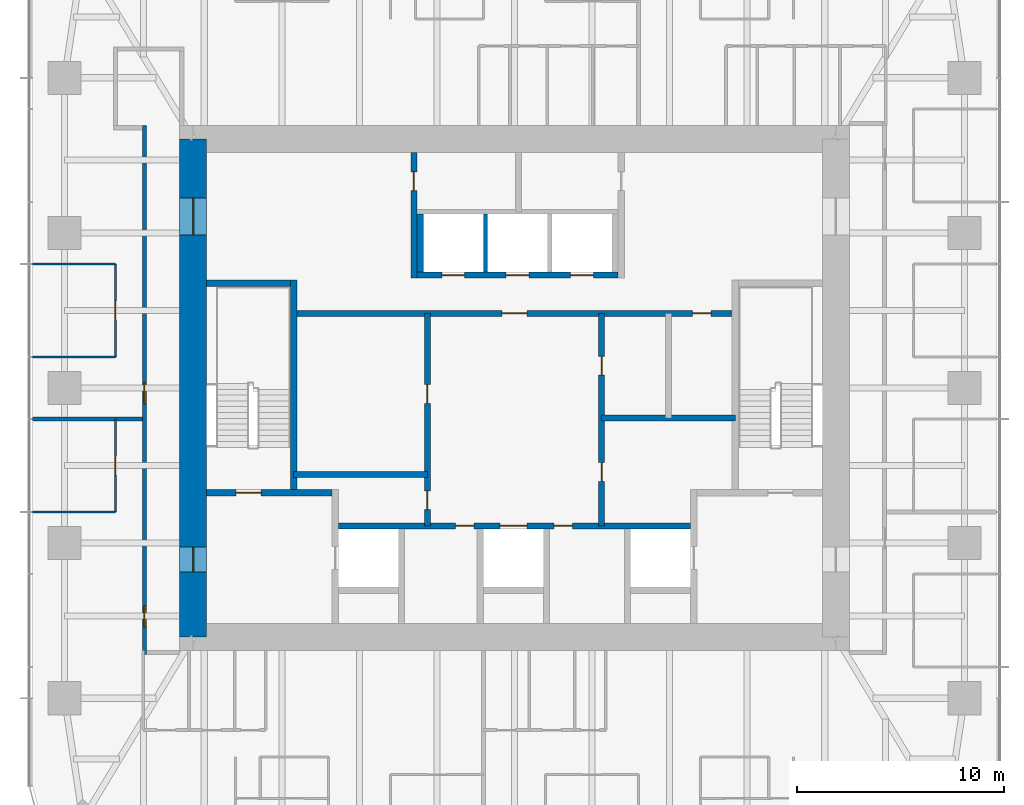
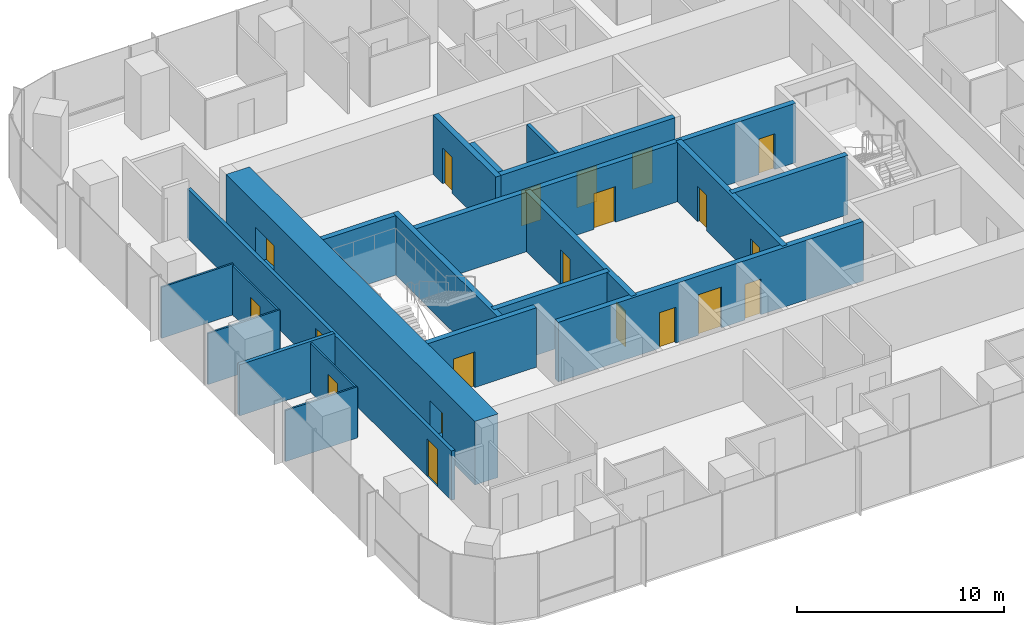
# One storey, part 9 of 12: 21 walls, 20 doors, 20 openings.
"""IFC4 building model written with IfcOpenShell, lengths in metres."""

from ifc_helpers import new_model, si_unit, direction, frame, frame_2d, origin, place, context, subcontext, project, spatial, rectangle, extrude, material, layer, layer_set, type_object, element, fill, save


model = new_model("IFC4")

# Units and contexts
model_context = context("Model", 3, precision=1e-05, world=origin(), true_north=direction((0.0, 1.0)))
body_context = subcontext(model_context, "Body", "Model", "MODEL_VIEW")
ifc_project = project(units=[si_unit("LENGTHUNIT", "METRE"), si_unit("AREAUNIT", "SQUARE_METRE"), si_unit("VOLUMEUNIT", "CUBIC_METRE"), si_unit("PLANEANGLEUNIT", "RADIAN"), si_unit("MASSUNIT", "GRAM", prefix="KILO")], contexts=[model_context])

# Site, building, storey
site_placement = place(None, origin())
site = spatial("IfcSite", under=ifc_project, at=site_placement, CompositionType="ELEMENT")
building_placement = place(site_placement, origin())
building = spatial("IfcBuilding", under=site, at=building_placement, Name="Khuree Lantern Residences", CompositionType="ELEMENT")
storey_placement = place(building_placement, frame((0.0, 0.0, 327.0)))
storey = spatial("IfcBuildingStorey", under=building, at=storey_placement, Name="L82", CompositionType="ELEMENT", Elevation=327.0)

# Wall, openings, doors
ifc_material_1 = material(Name="Dense concrete blockwork", Category="masonry")
ifc_layer_1 = layer(ifc_material_1, 0.300048828125)
ifc_layer_set_1 = layer_set([ifc_layer_1], Name="CORE PARTITION WALL CPW300 EI 120")
wall_type_1 = type_object("IfcWallType", Name="CORE PARTITION WALL CPW300 EI 120", PredefinedType="PARTITIONING", material=ifc_layer_set_1)
wall_1_placement = place(storey_placement, frame((-8.5, -6.64990234375, 0.0), z_axis=(0.0, 0.0, 1.0), x_axis=(1.0, 0.0, 0.0)))
wall_1 = element("IfcWall", 1, at=wall_1_placement, inside=storey, type_object=wall_type_1, Name="L82 CORE WALL FLROW", PredefinedType="PARTITIONING", context=body_context, shape_type="SweptSolid", body=[
    extrude(rectangle(XDim=17.0, YDim=0.300048828125, at=frame_2d((8.5, 0.0))), origin(), (0.0, 0.0, 1.0), 3.5),
])
opening_1_placement = place(wall_1_placement, frame((7.800048828125, 0.0, 0.0)))
opening_1 = element("IfcOpeningElement", 2, at=opening_1_placement, cuts=wall_1, Name="Opening 82-012", PredefinedType="OPENING", context=body_context, shape_type="SweptSolid", body=[
    extrude(rectangle(XDim=1.300048828125, YDim=2.39990234375, at=frame_2d((0.64990234375, 1.199951171875))), frame((0.0, 0.16015625, 0.0), z_axis=(0.0, -1.0, 0.0), x_axis=(1.0, 0.0, 0.0)), (0.0, 0.0, 1.0), 0.320068359375),
])
opening_2_placement = place(wall_1_placement, frame((5.64990234375, 0.0, 0.0)))
opening_2 = element("IfcOpeningElement", 3, at=opening_2_placement, cuts=wall_1, Name="Opening 82-014", PredefinedType="OPENING", context=body_context, shape_type="SweptSolid", body=[
    extrude(rectangle(XDim=0.89990234375, YDim=2.10009765625, at=frame_2d((0.449951171875, 1.050048828125))), frame((0.0, 0.16015625, 0.0), z_axis=(0.0, -1.0, 0.0), x_axis=(1.0, 0.0, 0.0)), (0.0, 0.0, 1.0), 0.320068359375),
])
opening_3_placement = place(wall_1_placement, frame((10.39990234375, 0.0, 0.0)))
opening_3 = element("IfcOpeningElement", 4, at=opening_3_placement, cuts=wall_1, Name="Opening 82-015", PredefinedType="OPENING", context=body_context, shape_type="SweptSolid", body=[
    extrude(rectangle(XDim=0.89990234375, YDim=2.10009765625, at=frame_2d((0.449951171875, 1.050048828125))), frame((0.0, 0.16015625, 0.0), z_axis=(0.0, -1.0, 0.0), x_axis=(1.0, 0.0, 0.0)), (0.0, 0.0, 1.0), 0.320068359375),
])
ifc_material_2 = material(Name="Steel door leaf in steel frame", Category="steel")
door_type_1 = type_object("IfcDoorType", Name="DOOR 900X2100 EI 60", OperationType="SINGLE_SWING_LEFT", PredefinedType="DOOR", material=ifc_material_2)
door_1_placement = place(opening_2_placement, origin())
door_1 = element("IfcDoor", 5, at=door_1_placement, inside=storey, type_object=door_type_1, Name="Refuse chute room door 82-014", OperationType="SINGLE_SWING_LEFT", OverallHeight=2.10009765625, OverallWidth=0.89990234375, PredefinedType="DOOR", context=body_context, shape_type="SweptSolid", body=[
    extrude(rectangle(XDim=0.89990234375, YDim=2.10009765625, at=frame_2d((0.449951171875, 1.050048828125))), frame((0.0, 0.02490234375, 0.0), z_axis=(0.0, -1.0, 0.0), x_axis=(1.0, 0.0, 0.0)), (0.0, 0.0, 1.0), 0.050048828125),
])
fill(opening_2, door_1)
door_type_2 = type_object("IfcDoorType", Name="DOOR 900X2100 EI 60 RIGHT HAND", OperationType="SINGLE_SWING_RIGHT", PredefinedType="DOOR", material=ifc_material_2)
door_2_placement = place(opening_3_placement, origin())
door_2 = element("IfcDoor", 6, at=door_2_placement, inside=storey, type_object=door_type_2, Name="Electrical and plumbing riser door 82-015", OperationType="SINGLE_SWING_RIGHT", OverallHeight=2.10009765625, OverallWidth=0.89990234375, PredefinedType="DOOR", context=body_context, shape_type="SweptSolid", body=[
    extrude(rectangle(XDim=0.89990234375, YDim=2.10009765625, at=frame_2d((0.449951171875, 1.050048828125))), frame((0.0, 0.02490234375, 0.0), z_axis=(0.0, -1.0, 0.0), x_axis=(1.0, 0.0, 0.0)), (0.0, 0.0, 1.0), 0.050048828125),
])
fill(opening_3, door_2)
ifc_material_3 = material(Name="Stainless steel lift landing door", Category="steel")
door_type_3 = type_object("IfcDoorType", Name="LIFT LANDING DOOR 1300X2400 E 60", OperationType="DOUBLE_DOOR_SLIDING", PredefinedType="DOOR", material=ifc_material_3)
door_3_placement = place(opening_1_placement, origin())
door_3 = element("IfcDoor", 7, at=door_3_placement, inside=storey, type_object=door_type_3, Name="Landing door SL1 82-012", OperationType="DOUBLE_DOOR_SLIDING", OverallHeight=2.39990234375, OverallWidth=1.300048828125, PredefinedType="DOOR", context=body_context, shape_type="SweptSolid", body=[
    extrude(rectangle(XDim=1.300048828125, YDim=2.39990234375, at=frame_2d((0.64990234375, 1.199951171875))), frame((0.0, 0.02490234375, 0.0), z_axis=(0.0, -1.0, 0.0), x_axis=(1.0, 0.0, 0.0)), (0.0, 0.0, 1.0), 0.050048828125),
])
fill(opening_1, door_3)

wall_2_placement = place(storey_placement, frame((-4.699951171875, 5.449951171875, 0.0), z_axis=(0.0, 0.0, 1.0), x_axis=(1.0, 0.0, 0.0)))
wall_2 = element("IfcWall", 8, at=wall_2_placement, inside=storey, type_object=wall_type_1, Name="L82 CORE WALL PHS", PredefinedType="PARTITIONING", context=body_context, shape_type="SweptSolid", body=[
    extrude(rectangle(XDim=9.699951171875, YDim=0.300048828125, at=frame_2d((4.85009765625, 0.0))), origin(), (0.0, 0.0, 1.0), 3.5),
])
opening_4_placement = place(wall_2_placement, frame((1.199951171875, 0.0, 0.0)))
opening_4 = element("IfcOpeningElement", 9, at=opening_4_placement, cuts=wall_2, Name="Opening 82-009", PredefinedType="OPENING", context=body_context, shape_type="SweptSolid", body=[
    extrude(rectangle(XDim=1.10009765625, YDim=2.10009765625, at=frame_2d((0.550048828125, 1.050048828125))), frame((0.0, 0.16015625, 0.0), z_axis=(0.0, -1.0, 0.0), x_axis=(1.0, 0.0, 0.0)), (0.0, 0.0, 1.0), 0.320068359375),
])
opening_5_placement = place(wall_2_placement, frame((4.300048828125, 0.0, 0.0)))
opening_5 = element("IfcOpeningElement", 10, at=opening_5_placement, cuts=wall_2, Name="Opening 82-010", PredefinedType="OPENING", context=body_context, shape_type="SweptSolid", body=[
    extrude(rectangle(XDim=1.10009765625, YDim=2.10009765625, at=frame_2d((0.550048828125, 1.050048828125))), frame((0.0, 0.16015625, 0.0), z_axis=(0.0, -1.0, 0.0), x_axis=(1.0, 0.0, 0.0)), (0.0, 0.0, 1.0), 0.320068359375),
])
opening_6_placement = place(wall_2_placement, frame((7.39990234375, 0.0, 0.0)))
opening_6 = element("IfcOpeningElement", 11, at=opening_6_placement, cuts=wall_2, Name="Opening 82-011", PredefinedType="OPENING", context=body_context, shape_type="SweptSolid", body=[
    extrude(rectangle(XDim=1.10009765625, YDim=2.10009765625, at=frame_2d((0.550048828125, 1.050048828125))), frame((0.0, 0.16015625, 0.0), z_axis=(0.0, -1.0, 0.0), x_axis=(1.0, 0.0, 0.0)), (0.0, 0.0, 1.0), 0.320068359375),
])
door_type_4 = type_object("IfcDoorType", Name="LIFT LANDING DOOR 1100X2100 E 60", OperationType="DOUBLE_DOOR_SLIDING", PredefinedType="DOOR", material=ifc_material_3)
door_4_placement = place(opening_4_placement, origin())
door_4 = element("IfcDoor", 12, at=door_4_placement, inside=storey, type_object=door_type_4, Name="Landing door PH1 82-009", OperationType="DOUBLE_DOOR_SLIDING", OverallHeight=2.10009765625, OverallWidth=1.10009765625, PredefinedType="DOOR", context=body_context, shape_type="SweptSolid", body=[
    extrude(rectangle(XDim=1.10009765625, YDim=2.10009765625, at=frame_2d((0.550048828125, 1.050048828125))), frame((0.0, 0.02490234375, 0.0), z_axis=(0.0, -1.0, 0.0), x_axis=(1.0, 0.0, 0.0)), (0.0, 0.0, 1.0), 0.050048828125),
])
fill(opening_4, door_4)
door_5_placement = place(opening_5_placement, origin())
door_5 = element("IfcDoor", 13, at=door_5_placement, inside=storey, type_object=door_type_4, Name="Landing door PH2 82-010", OperationType="DOUBLE_DOOR_SLIDING", OverallHeight=2.10009765625, OverallWidth=1.10009765625, PredefinedType="DOOR", context=body_context, shape_type="SweptSolid", body=[
    extrude(rectangle(XDim=1.10009765625, YDim=2.10009765625, at=frame_2d((0.550048828125, 1.050048828125))), frame((0.0, 0.02490234375, 0.0), z_axis=(0.0, -1.0, 0.0), x_axis=(1.0, 0.0, 0.0)), (0.0, 0.0, 1.0), 0.050048828125),
])
fill(opening_5, door_5)
door_6_placement = place(opening_6_placement, origin())
door_6 = element("IfcDoor", 14, at=door_6_placement, inside=storey, type_object=door_type_4, Name="Landing door PH3 82-011", OperationType="DOUBLE_DOOR_SLIDING", OverallHeight=2.10009765625, OverallWidth=1.10009765625, PredefinedType="DOOR", context=body_context, shape_type="SweptSolid", body=[
    extrude(rectangle(XDim=1.10009765625, YDim=2.10009765625, at=frame_2d((0.550048828125, 1.050048828125))), frame((0.0, 0.02490234375, 0.0), z_axis=(0.0, -1.0, 0.0), x_axis=(1.0, 0.0, 0.0)), (0.0, 0.0, 1.0), 0.050048828125),
])
fill(opening_6, door_6)

# Wall
wall_3_placement = place(storey_placement, frame((-4.550048828125, 5.60009765625, 0.0), z_axis=(0.0, 0.0, 1.0), x_axis=(0.0, 1.0, 0.0)))
element("IfcWall", 15, at=wall_3_placement, inside=storey, type_object=wall_type_1, Name="L82 CORE WALL PHW", PredefinedType="PARTITIONING", context=body_context, shape_type="SweptSolid", body=[
    extrude(rectangle(XDim=2.7998046875, YDim=0.300048828125, at=frame_2d((1.39990234375, 0.0))), origin(), (0.0, 0.0, 1.0), 3.5),
])

# Wall, openings, doors
wall_4_placement = place(storey_placement, frame((-10.64990234375, 3.60009765625, 0.0), z_axis=(0.0, 0.0, 1.0), x_axis=(1.0, 0.0, 0.0)))
wall_4 = element("IfcWall", 16, at=wall_4_placement, inside=storey, type_object=wall_type_1, Name="L82 CORE WALL LLS", PredefinedType="PARTITIONING", context=body_context, shape_type="SweptSolid", body=[
    extrude(rectangle(XDim=21.2998046875, YDim=0.300048828125, at=frame_2d((10.64990234375, 0.0))), origin(), (0.0, 0.0, 1.0), 3.5),
])
opening_7_placement = place(wall_4_placement, frame((10.050048828125, 0.0, 0.0)))
opening_7 = element("IfcOpeningElement", 17, at=opening_7_placement, cuts=wall_4, Name="Opening 82-013", PredefinedType="OPENING", context=body_context, shape_type="SweptSolid", body=[
    extrude(rectangle(XDim=1.199951171875, YDim=2.10009765625, at=frame_2d((0.60009765625, 1.050048828125))), frame((0.0, 0.16015625, 0.0), z_axis=(0.0, -1.0, 0.0), x_axis=(1.0, 0.0, 0.0)), (0.0, 0.0, 1.0), 0.320068359375),
])
opening_8_placement = place(wall_4_placement, frame((19.238037109375, 0.0, 0.0)))
opening_8 = element("IfcOpeningElement", 18, at=opening_8_placement, cuts=wall_4, Name="Opening 82-020", PredefinedType="OPENING", context=body_context, shape_type="SweptSolid", body=[
    extrude(rectangle(XDim=0.89990234375, YDim=2.10009765625, at=frame_2d((0.449951171875, 1.050048828125))), frame((0.0, 0.16015625, 0.0), z_axis=(0.0, -1.0, 0.0), x_axis=(1.0, 0.0, 0.0)), (0.0, 0.0, 1.0), 0.320068359375),
])
door_type_5 = type_object("IfcDoorType", Name="DOOR 1200X2100 EI 60", OperationType="SINGLE_SWING_LEFT", PredefinedType="DOOR", material=ifc_material_2)
door_7_placement = place(opening_7_placement, origin())
door_7 = element("IfcDoor", 19, at=door_7_placement, inside=storey, type_object=door_type_5, Name="Service lift lobby door 82-013", OperationType="SINGLE_SWING_LEFT", OverallHeight=2.10009765625, OverallWidth=1.199951171875, PredefinedType="DOOR", context=body_context, shape_type="SweptSolid", body=[
    extrude(rectangle(XDim=1.199951171875, YDim=2.10009765625, at=frame_2d((0.60009765625, 1.050048828125))), frame((0.0, 0.02490234375, 0.0), z_axis=(0.0, -1.0, 0.0), x_axis=(1.0, 0.0, 0.0)), (0.0, 0.0, 1.0), 0.050048828125),
])
fill(opening_7, door_7)
ifc_material_4 = material(Name="Timber door leaf in hardwood frame", Category="wood")
door_type_6 = type_object("IfcDoorType", Name="DOOR 900X2100 RIGHT HAND", OperationType="SINGLE_SWING_RIGHT", PredefinedType="DOOR", material=ifc_material_4)
door_8_placement = place(opening_8_placement, origin())
door_8 = element("IfcDoor", 20, at=door_8_placement, inside=storey, type_object=door_type_6, Name="Refuse holding room door 82-020", OperationType="SINGLE_SWING_RIGHT", OverallHeight=2.10009765625, OverallWidth=0.89990234375, PredefinedType="DOOR", context=body_context, shape_type="SweptSolid", body=[
    extrude(rectangle(XDim=0.89990234375, YDim=2.10009765625, at=frame_2d((0.449951171875, 1.050048828125))), frame((0.0, 0.02490234375, 0.0), z_axis=(0.0, -1.0, 0.0), x_axis=(1.0, 0.0, 0.0)), (0.0, 0.0, 1.0), 0.050048828125),
])
fill(opening_8, door_8)

wall_5_placement = place(storey_placement, frame((-4.199951171875, -6.64990234375, 0.0), z_axis=(0.0, 0.0, 1.0), x_axis=(0.0, 1.0, 0.0)))
wall_5 = element("IfcWall", 21, at=wall_5_placement, inside=storey, type_object=wall_type_1, Name="L82 CORE WALL SVW", PredefinedType="PARTITIONING", context=body_context, shape_type="SweptSolid", body=[
    extrude(rectangle(XDim=10.25, YDim=0.300048828125, at=frame_2d((5.125, 0.0))), origin(), (0.0, 0.0, 1.0), 3.5),
])
opening_9_placement = place(wall_5_placement, frame((0.787109375, 0.0, 0.0)))
opening_9 = element("IfcOpeningElement", 22, at=opening_9_placement, cuts=wall_5, Name="Opening 82-016", PredefinedType="OPENING", context=body_context, shape_type="SweptSolid", body=[
    extrude(rectangle(XDim=0.89990234375, YDim=2.10009765625, at=frame_2d((0.449951171875, 1.050048828125))), frame((0.0, 0.16015625, 0.0), z_axis=(0.0, -1.0, 0.0), x_axis=(1.0, 0.0, 0.0)), (0.0, 0.0, 1.0), 0.320068359375),
])
opening_10_placement = place(wall_5_placement, frame((5.912109375, 0.0, 0.0)))
opening_10 = element("IfcOpeningElement", 23, at=opening_10_placement, cuts=wall_5, Name="Opening 82-017", PredefinedType="OPENING", context=body_context, shape_type="SweptSolid", body=[
    extrude(rectangle(XDim=0.89990234375, YDim=2.10009765625, at=frame_2d((0.449951171875, 1.050048828125))), frame((0.0, 0.16015625, 0.0), z_axis=(0.0, -1.0, 0.0), x_axis=(1.0, 0.0, 0.0)), (0.0, 0.0, 1.0), 0.320068359375),
])
door_type_7 = type_object("IfcDoorType", Name="DOOR 900X2100", OperationType="SINGLE_SWING_LEFT", PredefinedType="DOOR", material=ifc_material_4)
door_9_placement = place(opening_9_placement, origin())
door_9 = element("IfcDoor", 24, at=door_9_placement, inside=storey, type_object=door_type_7, Name="IT room door 82-016", OperationType="SINGLE_SWING_LEFT", OverallHeight=2.10009765625, OverallWidth=0.89990234375, PredefinedType="DOOR", context=body_context, shape_type="SweptSolid", body=[
    extrude(rectangle(XDim=0.89990234375, YDim=2.10009765625, at=frame_2d((0.449951171875, 1.050048828125))), frame((0.0, 0.02490234375, 0.0), z_axis=(0.0, -1.0, 0.0), x_axis=(1.0, 0.0, 0.0)), (0.0, 0.0, 1.0), 0.050048828125),
])
fill(opening_9, door_9)
door_10_placement = place(opening_10_placement, origin())
door_10 = element("IfcDoor", 25, at=door_10_placement, inside=storey, type_object=door_type_7, Name="Residents' store door 82-017", OperationType="SINGLE_SWING_LEFT", OverallHeight=2.10009765625, OverallWidth=0.89990234375, PredefinedType="DOOR", context=body_context, shape_type="SweptSolid", body=[
    extrude(rectangle(XDim=0.89990234375, YDim=2.10009765625, at=frame_2d((0.449951171875, 1.050048828125))), frame((0.0, 0.02490234375, 0.0), z_axis=(0.0, -1.0, 0.0), x_axis=(1.0, 0.0, 0.0)), (0.0, 0.0, 1.0), 0.050048828125),
])
fill(opening_10, door_10)

wall_6_placement = place(storey_placement, frame((4.199951171875, -6.64990234375, 0.0), z_axis=(0.0, 0.0, 1.0), x_axis=(0.0, 1.0, 0.0)))
wall_6 = element("IfcWall", 26, at=wall_6_placement, inside=storey, type_object=wall_type_1, Name="L82 CORE WALL SVE", PredefinedType="PARTITIONING", context=body_context, shape_type="SweptSolid", body=[
    extrude(rectangle(XDim=10.25, YDim=0.300048828125, at=frame_2d((5.125, 0.0))), origin(), (0.0, 0.0, 1.0), 3.5),
])
opening_11_placement = place(wall_6_placement, frame((2.14990234375, 0.0, 0.0)))
opening_11 = element("IfcOpeningElement", 27, at=opening_11_placement, cuts=wall_6, Name="Opening 82-018", PredefinedType="OPENING", context=body_context, shape_type="SweptSolid", body=[
    extrude(rectangle(XDim=0.89990234375, YDim=2.10009765625, at=frame_2d((0.449951171875, 1.050048828125))), frame((0.0, 0.16015625, 0.0), z_axis=(0.0, -1.0, 0.0), x_axis=(1.0, 0.0, 0.0)), (0.0, 0.0, 1.0), 0.320068359375),
])
opening_12_placement = place(wall_6_placement, frame((7.27490234375, 0.0, 0.0)))
opening_12 = element("IfcOpeningElement", 28, at=opening_12_placement, cuts=wall_6, Name="Opening 82-019", PredefinedType="OPENING", context=body_context, shape_type="SweptSolid", body=[
    extrude(rectangle(XDim=0.89990234375, YDim=2.10009765625, at=frame_2d((0.449951171875, 1.050048828125))), frame((0.0, 0.16015625, 0.0), z_axis=(0.0, -1.0, 0.0), x_axis=(1.0, 0.0, 0.0)), (0.0, 0.0, 1.0), 0.320068359375),
])
door_11_placement = place(opening_11_placement, origin())
door_11 = element("IfcDoor", 29, at=door_11_placement, inside=storey, type_object=door_type_7, Name="Residents' store door 82-018", OperationType="SINGLE_SWING_LEFT", OverallHeight=2.10009765625, OverallWidth=0.89990234375, PredefinedType="DOOR", context=body_context, shape_type="SweptSolid", body=[
    extrude(rectangle(XDim=0.89990234375, YDim=2.10009765625, at=frame_2d((0.449951171875, 1.050048828125))), frame((0.0, 0.02490234375, 0.0), z_axis=(0.0, -1.0, 0.0), x_axis=(1.0, 0.0, 0.0)), (0.0, 0.0, 1.0), 0.050048828125),
])
fill(opening_11, door_11)
door_12_placement = place(opening_12_placement, origin())
door_12 = element("IfcDoor", 30, at=door_12_placement, inside=storey, type_object=door_type_6, Name="Building management room door 82-019", OperationType="SINGLE_SWING_RIGHT", OverallHeight=2.10009765625, OverallWidth=0.89990234375, PredefinedType="DOOR", context=body_context, shape_type="SweptSolid", body=[
    extrude(rectangle(XDim=0.89990234375, YDim=2.10009765625, at=frame_2d((0.449951171875, 1.050048828125))), frame((0.0, 0.02490234375, 0.0), z_axis=(0.0, -1.0, 0.0), x_axis=(1.0, 0.0, 0.0)), (0.0, 0.0, 1.0), 0.050048828125),
])
fill(opening_12, door_12)

# Walls
for number, where, z_axis, x_axis, name in (
    (31, (-10.64990234375, -4.177001953125, 0.0), (0.0, 0.0, 1.0), (1.0, 0.0, 0.0), "L82 CORE WALL WX"),
    (32, (10.64990234375, -1.449951171875, 0.0), (0.0, 0.0, 1.0), (-1.0, 0.0, 0.0), "L82 CORE WALL EX"),
):
    element("IfcWall", number, at=place(storey_placement, frame(where, z_axis=z_axis, x_axis=x_axis)), inside=storey, type_object=wall_type_1, Name=name, PredefinedType="PARTITIONING", context=body_context, shape_type="SweptSolid", body=[
        extrude(rectangle(XDim=6.449951171875, YDim=0.300048828125, at=frame_2d((3.22509765625, 0.0))), origin(), (0.0, 0.0, 1.0), 3.5),
    ])

# Wall, opening, door
wall_7_placement = place(storey_placement, frame((-4.85009765625, 5.300048828125, 0.0), z_axis=(0.0, 0.0, 1.0), x_axis=(0.0, 1.0, 0.0)))
wall_7 = element("IfcWall", 33, at=wall_7_placement, inside=storey, type_object=wall_type_1, Name="L82 CORE WALL NW", PredefinedType="PARTITIONING", context=body_context, shape_type="SweptSolid", body=[
    extrude(rectangle(XDim=6.050048828125, YDim=0.300048828125, at=frame_2d((3.02490234375, 0.0))), origin(), (0.0, 0.0, 1.0), 3.5),
])
opening_13_placement = place(wall_7_placement, frame((4.22509765625, 0.0, 0.0)))
opening_13 = element("IfcOpeningElement", 34, at=opening_13_placement, cuts=wall_7, Name="Opening 82-021", PredefinedType="OPENING", context=body_context, shape_type="SweptSolid", body=[
    extrude(rectangle(XDim=0.89990234375, YDim=2.10009765625, at=frame_2d((0.449951171875, 1.050048828125))), frame((0.0, 0.16015625, 0.0), z_axis=(0.0, -1.0, 0.0), x_axis=(1.0, 0.0, 0.0)), (0.0, 0.0, 1.0), 0.320068359375),
])
door_13_placement = place(opening_13_placement, origin())
door_13 = element("IfcDoor", 35, at=door_13_placement, inside=storey, type_object=door_type_6, Name="Housekeeping store door 82-021", OperationType="SINGLE_SWING_RIGHT", OverallHeight=2.10009765625, OverallWidth=0.89990234375, PredefinedType="DOOR", context=body_context, shape_type="SweptSolid", body=[
    extrude(rectangle(XDim=0.89990234375, YDim=2.10009765625, at=frame_2d((0.449951171875, 1.050048828125))), frame((0.0, 0.02490234375, 0.0), z_axis=(0.0, -1.0, 0.0), x_axis=(1.0, 0.0, 0.0)), (0.0, 0.0, 1.0), 0.050048828125),
])
fill(opening_13, door_13)

# Wall, openings, doors
ifc_material_5 = material(Name="Gypsum board on steel studs", Category="steel")
ifc_layer_2 = layer(ifc_material_5, 0.199951171875)
ifc_layer_set_2 = layer_set([ifc_layer_2], Name="CORRIDOR WALL CRW200 EI 60")
wall_type_2 = type_object("IfcWallType", Name="CORRIDOR WALL CRW200 EI 60", PredefinedType="PARTITIONING", material=ifc_layer_set_2)
wall_8_placement = place(storey_placement, frame((-17.85009765625, 12.64990234375, 0.0), z_axis=(0.0, 0.0, 1.0), x_axis=(0.0, -1.0, 0.0)))
wall_8 = element("IfcWall", 36, at=wall_8_placement, inside=storey, type_object=wall_type_2, Name="L82 CORRIDOR WALL WEST 1", PredefinedType="PARTITIONING", context=body_context, shape_type="SweptSolid", body=[
    extrude(rectangle(XDim=25.5, YDim=0.199951171875, at=frame_2d((12.75, 0.0))), origin(), (0.0, 0.0, 1.0), 2.89990234375),
])
opening_14_placement = place(wall_8_placement, frame((12.39990234375, 0.0, 0.0)))
opening_14 = element("IfcOpeningElement", 37, at=opening_14_placement, cuts=wall_8, Name="Opening 82-042", PredefinedType="OPENING", context=body_context, shape_type="SweptSolid", body=[
    extrude(rectangle(XDim=1.0, YDim=2.199951171875, at=frame_2d((0.5, 1.10009765625))), frame((0.0, 0.10986328125, 0.0), z_axis=(0.0, -1.0, 0.0), x_axis=(1.0, 0.0, 0.0)), (0.0, 0.0, 1.0), 0.219970703125),
])
opening_15_placement = place(wall_8_placement, frame((23.166015625, 0.0, 0.0)))
opening_15 = element("IfcOpeningElement", 38, at=opening_15_placement, cuts=wall_8, Name="Opening 82-050", PredefinedType="OPENING", context=body_context, shape_type="SweptSolid", body=[
    extrude(rectangle(XDim=1.0, YDim=2.199951171875, at=frame_2d((0.5, 1.10009765625))), frame((0.0, 0.10986328125, 0.0), z_axis=(0.0, -1.0, 0.0), x_axis=(1.0, 0.0, 0.0)), (0.0, 0.0, 1.0), 0.219970703125),
])
door_type_8 = type_object("IfcDoorType", Name="APARTMENT ENTRANCE DOOR 1000X2200 EI 30S", OperationType="SINGLE_SWING_LEFT", PredefinedType="DOOR", material=ifc_material_4)
door_14_placement = place(opening_14_placement, origin())
door_14 = element("IfcDoor", 39, at=door_14_placement, inside=storey, type_object=door_type_8, Name="Apartment 02 entrance door 82-042", OperationType="SINGLE_SWING_LEFT", OverallHeight=2.199951171875, OverallWidth=1.0, PredefinedType="DOOR", context=body_context, shape_type="SweptSolid", body=[
    extrude(rectangle(XDim=1.0, YDim=2.199951171875, at=frame_2d((0.5, 1.10009765625))), frame((0.0, 0.02490234375, 0.0), z_axis=(0.0, -1.0, 0.0), x_axis=(1.0, 0.0, 0.0)), (0.0, 0.0, 1.0), 0.050048828125),
])
fill(opening_14, door_14)
door_type_9 = type_object("IfcDoorType", Name="APARTMENT ENTRANCE DOOR 1000X2200 EI 30S RIGHT HAND", OperationType="SINGLE_SWING_RIGHT", PredefinedType="DOOR", material=ifc_material_4)
door_15_placement = place(opening_15_placement, origin())
door_15 = element("IfcDoor", 40, at=door_15_placement, inside=storey, type_object=door_type_9, Name="Apartment 03 entrance door 82-050", OperationType="SINGLE_SWING_RIGHT", OverallHeight=2.199951171875, OverallWidth=1.0, PredefinedType="DOOR", context=body_context, shape_type="SweptSolid", body=[
    extrude(rectangle(XDim=1.0, YDim=2.199951171875, at=frame_2d((0.5, 1.10009765625))), frame((0.0, 0.02490234375, 0.0), z_axis=(0.0, -1.0, 0.0), x_axis=(1.0, 0.0, 0.0)), (0.0, 0.0, 1.0), 0.050048828125),
])
fill(opening_15, door_15)

ifc_material_6 = material(Name="Concrete C50/60", Category="concrete")
ifc_layer_3 = layer(ifc_material_6, 1.300048828125)
ifc_layer_set_3 = layer_set([ifc_layer_3], Name="CW1300-C50 CORE WALL C50 1300")
wall_type_3 = type_object("IfcWallType", Name="CW1300-C50 CORE WALL C50 1300", PredefinedType="SHEAR", material=ifc_layer_set_3)
wall_9_placement = place(storey_placement, frame((-15.5, -12.0, -0.25), z_axis=(0.0, 0.0, 1.0), x_axis=(0.0, 1.0, 0.0)))
wall_9 = element("IfcWall", 41, at=wall_9_placement, inside=storey, type_object=wall_type_3, Name="Core wall W", PredefinedType="SHEAR", context=body_context, shape_type="SweptSolid", body=[
    extrude(rectangle(XDim=24.0, YDim=1.300048828125, at=frame_2d((12.0, 0.0))), origin(), (0.0, 0.0, 1.0), 3.75),
])
opening_16_placement = place(wall_9_placement, frame((3.125, 0.0, 0.25)))
opening_16 = element("IfcOpeningElement", 42, at=opening_16_placement, cuts=wall_9, Name="Opening 82-002", PredefinedType="OPENING", context=body_context, shape_type="SweptSolid", body=[
    extrude(rectangle(XDim=1.199951171875, YDim=2.10009765625, at=frame_2d((0.60009765625, 1.050048828125))), frame((0.0, 0.66015625, 0.0), z_axis=(0.0, -1.0, 0.0), x_axis=(1.0, 0.0, 0.0)), (0.0, 0.0, 1.0), 1.320068359375),
])
opening_17_placement = place(wall_9_placement, frame((19.375, 0.0, 0.25)))
opening_17 = element("IfcOpeningElement", 43, at=opening_17_placement, cuts=wall_9, Name="Opening 82-003", PredefinedType="OPENING", context=body_context, shape_type="SweptSolid", body=[
    extrude(rectangle(XDim=1.800048828125, YDim=2.10009765625, at=frame_2d((0.89990234375, 1.050048828125))), frame((0.0, 0.66015625, 0.0), z_axis=(0.0, -1.0, 0.0), x_axis=(1.0, 0.0, 0.0)), (0.0, 0.0, 1.0), 1.320068359375),
])
door_type_10 = type_object("IfcDoorType", Name="LOBBY DOOR 1200X2100 EI 120", OperationType="SINGLE_SWING_LEFT", PredefinedType="DOOR", material=ifc_material_2)
door_16_placement = place(opening_16_placement, origin())
door_16 = element("IfcDoor", 44, at=door_16_placement, inside=storey, type_object=door_type_10, Name="Firefighting lobby door 82-002", OperationType="SINGLE_SWING_LEFT", OverallHeight=2.10009765625, OverallWidth=1.199951171875, PredefinedType="DOOR", context=body_context, shape_type="SweptSolid", body=[
    extrude(rectangle(XDim=1.199951171875, YDim=2.10009765625, at=frame_2d((0.60009765625, 1.050048828125))), frame((0.0, 0.02490234375, 0.0), z_axis=(0.0, -1.0, 0.0), x_axis=(1.0, 0.0, 0.0)), (0.0, 0.0, 1.0), 0.050048828125),
])
fill(opening_16, door_16)
door_type_11 = type_object("IfcDoorType", Name="LOBBY DOUBLE DOOR 1800X2100 EI 60", OperationType="DOUBLE_DOOR_SINGLE_SWING", PredefinedType="DOOR", material=ifc_material_2)
door_17_placement = place(opening_17_placement, origin())
door_17 = element("IfcDoor", 45, at=door_17_placement, inside=storey, type_object=door_type_11, Name="Lift lobby door 82-003", OperationType="DOUBLE_DOOR_SINGLE_SWING", OverallHeight=2.10009765625, OverallWidth=1.800048828125, PredefinedType="DOOR", context=body_context, shape_type="SweptSolid", body=[
    extrude(rectangle(XDim=1.800048828125, YDim=2.10009765625, at=frame_2d((0.89990234375, 1.050048828125))), frame((0.0, 0.02490234375, 0.0), z_axis=(0.0, -1.0, 0.0), x_axis=(1.0, 0.0, 0.0)), (0.0, 0.0, 1.0), 0.050048828125),
])
fill(opening_17, door_17)

# Walls
ifc_layer_4 = layer(ifc_material_5, 0.199951171875)
ifc_layer_set_4 = layer_set([ifc_layer_4], Name="DEMISING WALL DMW200 EI 90")
wall_type_4 = type_object("IfcWallType", Name="DEMISING WALL DMW200 EI 90", PredefinedType="PARTITIONING", material=ifc_layer_set_4)
wall_10_placement = place(storey_placement, frame((-17.949951171875, -1.49609375, 0.0), z_axis=(0.0, 0.0, 1.0), x_axis=(-1.0, 0.0, 0.0)))
element("IfcWall", 46, at=wall_10_placement, inside=storey, type_object=wall_type_4, Name="L82 DEMISING WALL 03", PredefinedType="PARTITIONING", context=body_context, shape_type="SweptSolid", body=[
    extrude(rectangle(XDim=5.300048828125, YDim=0.199951171875, at=frame_2d((2.64990234375, 0.0))), origin(), (0.0, 0.0, 1.0), 3.010009765625),
])
ifc_layer_5 = layer(ifc_material_5, 0.10009765625)
ifc_layer_set_5 = layer_set([ifc_layer_5], Name="PARTITION PT100")
wall_type_5 = type_object("IfcWallType", Name="PARTITION PT100", PredefinedType="PARTITIONING", material=ifc_layer_set_5)
for number, where, z_axis, x_axis, name in (
    (47, (-19.25, 5.98388671875, 0.0), (0.0, 0.0, 1.0), (-1.0, 0.0, 0.0), "L82 PARTITION 02"),
    (48, (-19.25, 1.49609375, 0.0), (0.0, 0.0, 1.0), (-1.0, 0.0, 0.0), "L82 PARTITION 02"),
    (49, (-19.25, -5.98388671875, 0.0), (0.0, 0.0, 1.0), (-1.0, 0.0, 0.0), "L82 PARTITION 03"),
):
    element("IfcWall", number, at=place(storey_placement, frame(where, z_axis=z_axis, x_axis=x_axis)), inside=storey, type_object=wall_type_5, Name=name, PredefinedType="PARTITIONING", context=body_context, shape_type="SweptSolid", body=[
        extrude(rectangle(XDim=4.0, YDim=0.10009765625, at=frame_2d((2.0, 0.0))), origin(), (0.0, 0.0, 1.0), 3.010009765625),
    ])

# Wall, opening, door
wall_11_placement = place(storey_placement, frame((-19.25, 5.98388671875, 0.0), z_axis=(0.0, 0.0, 1.0), x_axis=(0.0, -1.0, 0.0)))
wall_11 = element("IfcWall", 50, at=wall_11_placement, inside=storey, type_object=wall_type_5, Name="L82 PARTITION 02", PredefinedType="PARTITIONING", context=body_context, shape_type="SweptSolid", body=[
    extrude(rectangle(XDim=4.48779296875, YDim=0.10009765625, at=frame_2d((2.243896484375, 0.0))), origin(), (0.0, 0.0, 1.0), 2.909912109375),
])
opening_18_placement = place(wall_11_placement, frame((1.7939453125, 0.0, 0.0)))
opening_18 = element("IfcOpeningElement", 51, at=opening_18_placement, cuts=wall_11, Name="Opening 82-037", PredefinedType="OPENING", context=body_context, shape_type="SweptSolid", body=[
    extrude(rectangle(XDim=0.89990234375, YDim=2.10009765625, at=frame_2d((0.449951171875, 1.050048828125))), frame((0.0, 0.06005859375, 0.0), z_axis=(0.0, -1.0, 0.0), x_axis=(1.0, 0.0, 0.0)), (0.0, 0.0, 1.0), 0.1201171875),
])
door_type_12 = type_object("IfcDoorType", Name="BEDROOM DOOR 900X2100", OperationType="SINGLE_SWING_LEFT", PredefinedType="DOOR", material=ifc_material_4)
door_18_placement = place(opening_18_placement, origin())
door_18 = element("IfcDoor", 52, at=door_18_placement, inside=storey, type_object=door_type_12, Name="Bedroom door 82-037", OperationType="SINGLE_SWING_LEFT", OverallHeight=2.10009765625, OverallWidth=0.89990234375, PredefinedType="DOOR", context=body_context, shape_type="SweptSolid", body=[
    extrude(rectangle(XDim=0.89990234375, YDim=2.10009765625, at=frame_2d((0.449951171875, 1.050048828125))), frame((0.0, 0.02490234375, 0.0), z_axis=(0.0, -1.0, 0.0), x_axis=(1.0, 0.0, 0.0)), (0.0, 0.0, 1.0), 0.050048828125),
])
fill(opening_18, door_18)

wall_12_placement = place(storey_placement, frame((-19.25, -1.49609375, 0.0), z_axis=(0.0, 0.0, 1.0), x_axis=(0.0, -1.0, 0.0)))
wall_12 = element("IfcWall", 53, at=wall_12_placement, inside=storey, type_object=wall_type_5, Name="L82 PARTITION 03", PredefinedType="PARTITIONING", context=body_context, shape_type="SweptSolid", body=[
    extrude(rectangle(XDim=4.48779296875, YDim=0.10009765625, at=frame_2d((2.243896484375, 0.0))), origin(), (0.0, 0.0, 1.0), 2.909912109375),
])
opening_19_placement = place(wall_12_placement, frame((1.7939453125, 0.0, 0.0)))
opening_19 = element("IfcOpeningElement", 54, at=opening_19_placement, cuts=wall_12, Name="Opening 82-043", PredefinedType="OPENING", context=body_context, shape_type="SweptSolid", body=[
    extrude(rectangle(XDim=0.89990234375, YDim=2.10009765625, at=frame_2d((0.449951171875, 1.050048828125))), frame((0.0, 0.06005859375, 0.0), z_axis=(0.0, -1.0, 0.0), x_axis=(1.0, 0.0, 0.0)), (0.0, 0.0, 1.0), 0.1201171875),
])
door_19_placement = place(opening_19_placement, origin())
door_19 = element("IfcDoor", 55, at=door_19_placement, inside=storey, type_object=door_type_12, Name="Bedroom door 82-043", OperationType="SINGLE_SWING_LEFT", OverallHeight=2.10009765625, OverallWidth=0.89990234375, PredefinedType="DOOR", context=body_context, shape_type="SweptSolid", body=[
    extrude(rectangle(XDim=0.89990234375, YDim=2.10009765625, at=frame_2d((0.449951171875, 1.050048828125))), frame((0.0, 0.02490234375, 0.0), z_axis=(0.0, -1.0, 0.0), x_axis=(1.0, 0.0, 0.0)), (0.0, 0.0, 1.0), 0.050048828125),
])
fill(opening_19, door_19)

# Walls
ifc_layer_6 = layer(ifc_material_1, 0.199951171875)
ifc_layer_set_6 = layer_set([ifc_layer_6], Name="SHAFT WALL SHW200 EI 120")
wall_type_6 = type_object("IfcWallType", Name="SHAFT WALL SHW200 EI 120", PredefinedType="PARTITIONING", material=ifc_layer_set_6)
wall_13_placement = place(storey_placement, frame((-1.39990234375, 5.60009765625, 0.0), z_axis=(0.0, 0.0, 1.0), x_axis=(0.0, 1.0, 0.0)))
element("IfcWall", 56, at=wall_13_placement, inside=storey, type_object=wall_type_6, Name="L82 CORE WALL PHD1", PredefinedType="PARTITIONING", context=body_context, shape_type="SweptSolid", body=[
    extrude(rectangle(XDim=2.7998046875, YDim=0.199951171875, at=frame_2d((1.39990234375, 0.0))), origin(), (0.0, 0.0, 1.0), 3.5),
])
ifc_layer_7 = layer(ifc_material_6, 0.300048828125)
ifc_layer_set_7 = layer_set([ifc_layer_7], Name="STAIR WALL SRW300 C50/60 REI 240")
wall_type_7 = type_object("IfcWallType", Name="STAIR WALL SRW300 C50/60 REI 240", PredefinedType="SOLIDWALL", material=ifc_layer_set_7)
wall_14_placement = place(storey_placement, frame((-10.64990234375, -4.89990234375, 0.0), z_axis=(0.0, 0.0, 1.0), x_axis=(0.0, 1.0, 0.0)))
element("IfcWall", 57, at=wall_14_placement, inside=storey, type_object=wall_type_7, Name="L82 STAIR WALL ST1E", PredefinedType="SOLIDWALL", context=body_context, shape_type="SweptSolid", body=[
    extrude(rectangle(XDim=10.099853515625, YDim=0.300048828125, at=frame_2d((5.0498046875, 0.0))), origin(), (0.0, 0.0, 1.0), 3.5),
])

# Wall, opening, door
wall_15_placement = place(storey_placement, frame((-14.85009765625, -5.050048828125, 0.0), z_axis=(0.0, 0.0, 1.0), x_axis=(1.0, 0.0, 0.0)))
wall_15 = element("IfcWall", 58, at=wall_15_placement, inside=storey, type_object=wall_type_7, Name="L82 STAIR WALL ST1S", PredefinedType="SOLIDWALL", context=body_context, shape_type="SweptSolid", body=[
    extrude(rectangle(XDim=6.050048828125, YDim=0.300048828125, at=frame_2d((3.02490234375, 0.0))), origin(), (0.0, 0.0, 1.0), 3.5),
])
opening_20_placement = place(wall_15_placement, frame((1.425048828125, 0.0, 0.0)))
opening_20 = element("IfcOpeningElement", 59, at=opening_20_placement, cuts=wall_15, Name="Opening 82-001", PredefinedType="OPENING", context=body_context, shape_type="SweptSolid", body=[
    extrude(rectangle(XDim=1.199951171875, YDim=2.10009765625, at=frame_2d((0.60009765625, 1.050048828125))), frame((0.0, 0.16015625, 0.0), z_axis=(0.0, -1.0, 0.0), x_axis=(1.0, 0.0, 0.0)), (0.0, 0.0, 1.0), 0.320068359375),
])
door_type_13 = type_object("IfcDoorType", Name="STAIR DOOR 1200X2100 EI 120", OperationType="SINGLE_SWING_LEFT", PredefinedType="DOOR", material=ifc_material_2)
door_20_placement = place(opening_20_placement, origin())
door_20 = element("IfcDoor", 60, at=door_20_placement, inside=storey, type_object=door_type_13, Name="Stair ST1 door 82-001", OperationType="SINGLE_SWING_LEFT", OverallHeight=2.10009765625, OverallWidth=1.199951171875, PredefinedType="DOOR", context=body_context, shape_type="SweptSolid", body=[
    extrude(rectangle(XDim=1.199951171875, YDim=2.10009765625, at=frame_2d((0.60009765625, 1.050048828125))), frame((0.0, 0.02490234375, 0.0), z_axis=(0.0, -1.0, 0.0), x_axis=(1.0, 0.0, 0.0)), (0.0, 0.0, 1.0), 0.050048828125),
])
fill(opening_20, door_20)

# Wall
wall_16_placement = place(storey_placement, frame((-14.85009765625, 5.050048828125, 0.0), z_axis=(0.0, 0.0, 1.0), x_axis=(1.0, 0.0, 0.0)))
element("IfcWall", 61, at=wall_16_placement, inside=storey, type_object=wall_type_7, Name="L82 STAIR WALL ST1N", PredefinedType="SOLIDWALL", context=body_context, shape_type="SweptSolid", body=[
    extrude(rectangle(XDim=4.050048828125, YDim=0.300048828125, at=frame_2d((2.02490234375, 0.0))), origin(), (0.0, 0.0, 1.0), 3.5),
])

save(model, "model.ifc")
